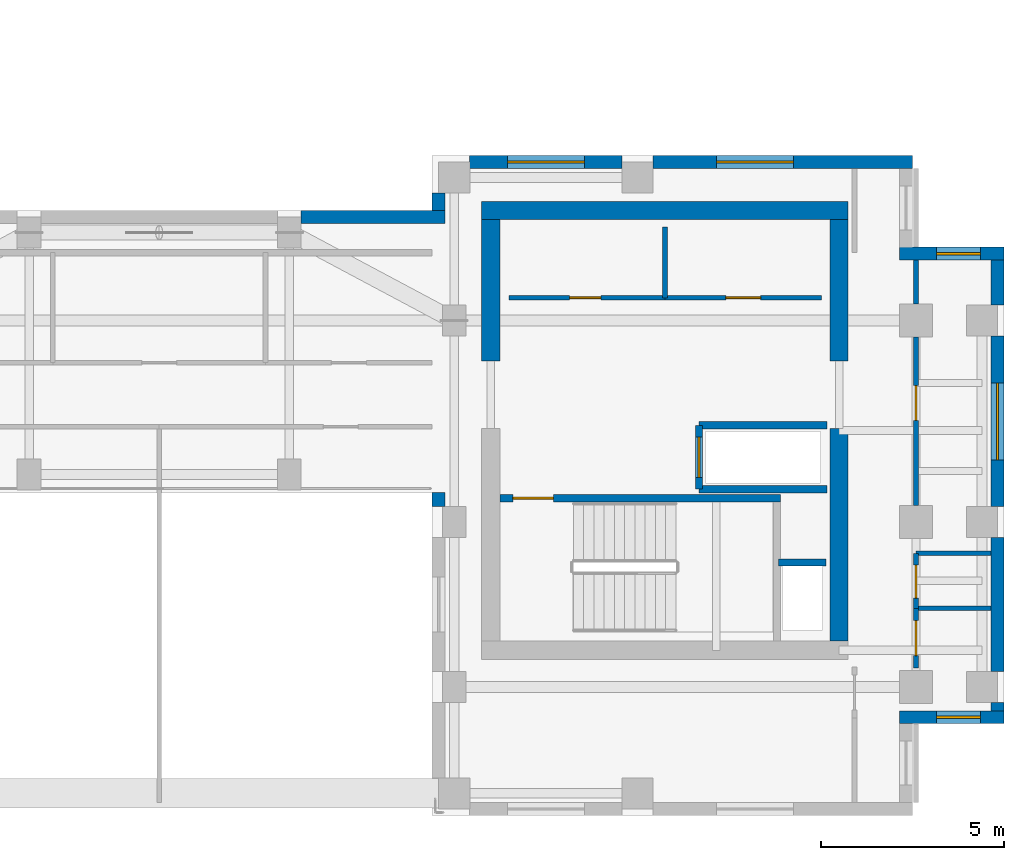
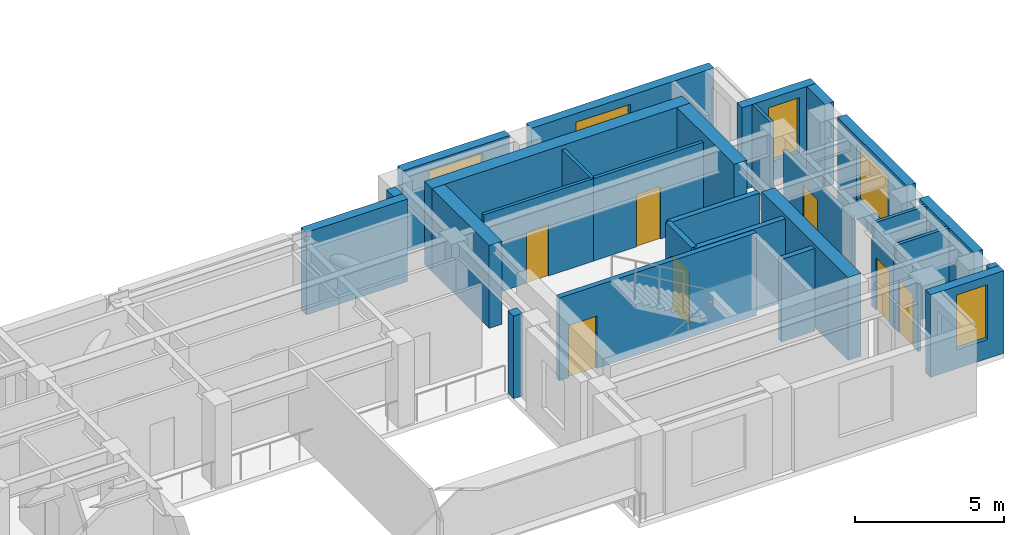
# One storey, part 9 of 12: 29 walls, 7 doors, 5 windows, 12 openings.
"""IFC4 building model written with IfcOpenShell, lengths in metres."""

import ifcopenshell
import ifcopenshell.guid

model = None  # the IFC model being written
_history = None  # IfcOwnerHistory: only IFC2X3 demands one
_inside = {}  # id of a spatial element -> (the spatial element, [elements in it])
_under = {}  # id of a project, library or spatial element -> (it, [spatial elements below it])
_declared = {}  # id of a project -> (the project, [libraries it declares])
_typed = {}  # id of a type object -> (the type object, [elements of that type])
_made_of = {}  # id of a material, layer set ... -> (it, [elements and type objects made of it])


def new_model(schema):
    """Start an empty IFC model of exactly this schema.

    Asked for "IFC4X3", IfcOpenShell would pick the latest addendum, in which some entities
    have other attributes; the version numbers below select the first issue.
    IFC2X3 requires an IfcOwnerHistory on every rooted entity: one is made here for all.
    """
    global model, _history
    if schema == "IFC4X3":
        model = ifcopenshell.file(schema_version=(4, 3, 0, 0))
    else:
        model = ifcopenshell.file(schema=schema)
    _inside.clear()
    _under.clear()
    _declared.clear()
    _typed.clear()
    _made_of.clear()
    _history = None
    if model.schema == "IFC2X3":
        org = make("IfcOrganization", Name="unknown")
        user = make(
            "IfcPersonAndOrganization",
            ThePerson=make("IfcPerson", FamilyName="unknown"),
            TheOrganization=org,
        )
        app = make(
            "IfcApplication",
            ApplicationDeveloper=org,
            Version="unknown",
            ApplicationFullName="unknown",
            ApplicationIdentifier="unknown",
        )
        _history = make(
            "IfcOwnerHistory",
            OwningUser=user,
            OwningApplication=app,
            ChangeAction="ADDED",
            CreationDate=0,
        )
    return model


def make(cls, **values):
    """One entity of the class cls with the attributes given. An attribute that is None is left unset."""
    return model.create_entity(
        cls, **{name: value for name, value in values.items() if value is not None}
    )


def rooted(cls, **values):
    """An entity with a GlobalId (a new one), such as an element, a storey or a relation."""
    return make(cls, GlobalId=ifcopenshell.guid.new(), OwnerHistory=_history, **values)


def si_unit(unit_type, name, prefix=None):
    """IfcSIUnit, for example si_unit("LENGTHUNIT", "METRE", prefix="MILLI")."""
    return make("IfcSIUnit", UnitType=unit_type, Prefix=prefix, Name=name)


def assignment(units):
    """IfcUnitAssignment: the units of a project."""
    return None if units is None else make("IfcUnitAssignment", Units=units)


def point(xyz):
    """IfcCartesianPoint."""
    return None if xyz is None else make("IfcCartesianPoint", Coordinates=xyz)


def direction(xyz):
    """IfcDirection."""
    return None if xyz is None else make("IfcDirection", DirectionRatios=xyz)


def frame(location, z_axis=None, x_axis=None):
    """IfcAxis2Placement3D, a coordinate frame: its origin and axes. An axis left out is left unset."""
    return make(
        "IfcAxis2Placement3D",
        Location=point(location),
        Axis=direction(z_axis),
        RefDirection=direction(x_axis),
    )


def frame_2d(location, x_axis=None):
    """IfcAxis2Placement2D, a coordinate frame in the plane: its origin and x axis."""
    return make(
        "IfcAxis2Placement2D", Location=point(location), RefDirection=direction(x_axis)
    )


def origin():
    """The frame at (0, 0, 0) with its axes left unset."""
    return frame((0.0, 0.0, 0.0))


def place(relative_to, where):
    """IfcLocalPlacement: puts the frame where relative to a parent placement (None: the world)."""
    return make(
        "IfcLocalPlacement", PlacementRelTo=relative_to, RelativePlacement=where
    )


def context(
    kind, dimensions, precision=None, world=None, true_north=None, identifier=None
):
    """IfcGeometricRepresentationContext, for example the 3D "Model" context."""
    return make(
        "IfcGeometricRepresentationContext",
        ContextIdentifier=identifier,
        ContextType=kind,
        CoordinateSpaceDimension=dimensions,
        Precision=precision,
        WorldCoordinateSystem=world,
        TrueNorth=true_north,
    )


def subcontext(parent, identifier, kind, view, scale=None):
    """IfcGeometricRepresentationSubContext, for example "Body" below "Model"."""
    return make(
        "IfcGeometricRepresentationSubContext",
        ContextIdentifier=identifier,
        ContextType=kind,
        ParentContext=parent,
        TargetScale=scale,
        TargetView=view,
    )


def project(units=None, contexts=None):
    """IfcProject with its units and contexts."""
    return rooted(
        "IfcProject",
        Name="project",
        RepresentationContexts=contexts,
        UnitsInContext=assignment(units),
    )


def spatial(cls, under=None, at=None, **own):
    """A site, building, storey or space (cls), placed at a placement, below another one or the project."""
    s = rooted(cls, ObjectPlacement=at, **own)
    if under is not None:
        _under.setdefault(under.id(), (under, []))[1].append(s)
    return s


def profile(cls, at=None, kind="AREA", **sizes):
    """A parametric profile (cls). Its sizes go by their IFC names, for example OverallWidth=200.0."""
    return make(cls, ProfileType=kind, Position=at, **sizes)


def rectangle(**sizes):
    """IfcRectangleProfileDef."""
    return profile("IfcRectangleProfileDef", **sizes)


def extrude(swept, where, along, depth):
    """IfcExtrudedAreaSolid: the profile swept, set in the frame where, extruded along a direction by depth."""
    return make(
        "IfcExtrudedAreaSolid",
        SweptArea=swept,
        Position=where,
        ExtrudedDirection=direction(along),
        Depth=depth,
    )


def shape(context_of_items, identifier, shape_type, items):
    """IfcShapeRepresentation: the items that make up one representation, for example the "Body"."""
    return make(
        "IfcShapeRepresentation",
        ContextOfItems=context_of_items,
        RepresentationIdentifier=identifier,
        RepresentationType=shape_type,
        Items=items,
    )


def source(mapping_origin, context_of_items, identifier, shape_type, items):
    """IfcRepresentationMap: a shape defined once, which mapped items show again and again."""
    return make(
        "IfcRepresentationMap",
        MappingOrigin=mapping_origin,
        MappedRepresentation=shape(context_of_items, identifier, shape_type, items),
    )


def transform(
    local_origin,
    x_axis=None,
    y_axis=None,
    z_axis=None,
    scale=None,
    scale2=None,
    scale3=None,
    uniform=True,
):
    """IfcCartesianTransformationOperator3D, or its non-uniform kind. x_axis, y_axis, z_axis: its Axis1, 2, 3."""
    if uniform:
        return make(
            "IfcCartesianTransformationOperator3D",
            Axis1=direction(x_axis),
            Axis2=direction(y_axis),
            LocalOrigin=point(local_origin),
            Scale=scale,
            Axis3=direction(z_axis),
        )
    return make(
        "IfcCartesianTransformationOperator3DnonUniform",
        Axis1=direction(x_axis),
        Axis2=direction(y_axis),
        LocalOrigin=point(local_origin),
        Scale=scale,
        Axis3=direction(z_axis),
        Scale2=scale2,
        Scale3=scale3,
    )


def mapped(mapping_source, mapping_target):
    """IfcMappedItem: shows the shape of a source again, moved by a transform."""
    return make(
        "IfcMappedItem", MappingSource=mapping_source, MappingTarget=mapping_target
    )


def material(Name=None, Category=None):
    """IfcMaterial."""
    return make("IfcMaterial", Name=Name, Category=Category)


def layer(
    of_material, thickness, ventilated=None, Name=None, Category=None, Priority=None
):
    """IfcMaterialLayer: one layer of a wall or slab, of a material (None: an air gap)."""
    return make(
        "IfcMaterialLayer",
        Material=of_material,
        LayerThickness=thickness,
        IsVentilated=ventilated,
        Name=Name,
        Category=Category,
        Priority=Priority,
    )


def layer_set(layers, Name=None):
    """IfcMaterialLayerSet."""
    return make("IfcMaterialLayerSet", MaterialLayers=layers, LayerSetName=Name)


def made_of(thing, what):
    """Note that an element or type object is made of a material, layer set ...; save() writes the relation."""
    if what is not None:
        _made_of.setdefault(what.id(), (what, []))[1].append(thing)
    return thing


def type_object(cls, material=None, **own):
    """A type object (cls), such as IfcWallType, which elements share."""
    return made_of(rooted(cls, **own), material)


def element(
    cls,
    number,
    at=None,
    inside=None,
    cuts=None,
    type_object=None,
    material=None,
    context=None,
    identifier="Body",
    shape_type=None,
    held_by="IfcProductDefinitionShape",
    body=None,
    shapes=None,
    **own,
):
    """One element of the class cls, such as IfcWall. Its Tag is "e" and its number.

    at: its placement. inside: the storey or other place that contains it. cuts: it is an
    opening in that element (IfcRelVoidsElement). A single representation is given by context,
    identifier, shape_type and body (its items); several are given by shapes. held_by: the class
    of the entity that holds the representations. save() writes the other relations.
    """
    e = rooted(cls, Tag="e%d" % number, ObjectPlacement=at, **own)
    if body is not None:
        shapes = [shape(context, identifier, shape_type, body)]
    if shapes is not None:
        e.Representation = make(held_by, Representations=shapes)
    if inside is not None:
        _inside.setdefault(inside.id(), (inside, []))[1].append(e)
    if cuts is not None:
        rooted(
            "IfcRelVoidsElement", RelatingBuildingElement=cuts, RelatedOpeningElement=e
        )
    if type_object is not None:
        _typed.setdefault(type_object.id(), (type_object, []))[1].append(e)
    return made_of(e, material)


def fill(opening, filler):
    """IfcRelFillsElement: the door or window that sits in an opening."""
    return rooted(
        "IfcRelFillsElement",
        RelatingOpeningElement=opening,
        RelatedBuildingElement=filler,
    )


def aggregate(whole, parts):
    """IfcRelAggregates: a whole, such as a stair, and the parts it consists of."""
    return rooted("IfcRelAggregates", RelatingObject=whole, RelatedObjects=parts)


def save(model, path):
    """Write the relations noted so far, then the file.

    IfcRelAggregates (storeys below a building ...), IfcRelContainedInSpatialStructure (elements
    in a storey), IfcRelDefinesByType, IfcRelAssociatesMaterial and IfcRelDeclares: one each for
    every whole, place, type object, material and project.
    """
    for whole, parts in _under.values():
        aggregate(whole, parts)
    for where, things in _inside.values():
        rooted(
            "IfcRelContainedInSpatialStructure",
            RelatedElements=things,
            RelatingStructure=where,
        )
    for kind, things in _typed.values():
        rooted("IfcRelDefinesByType", RelatedObjects=things, RelatingType=kind)
    for what, things in _made_of.values():
        rooted("IfcRelAssociatesMaterial", RelatedObjects=things, RelatingMaterial=what)
    for by, libraries in _declared.values():
        rooted("IfcRelDeclares", RelatingContext=by, RelatedDefinitions=libraries)
    model.write(path)


model = new_model("IFC4")

# Units and contexts
model_context = context("Model", 3, precision=1e-05, world=origin(), true_north=direction((0.0, 1.0)))
body_context = subcontext(model_context, "Body", "Model", "MODEL_VIEW")
ifc_project = project(units=[si_unit("LENGTHUNIT", "METRE"), si_unit("AREAUNIT", "SQUARE_METRE"), si_unit("VOLUMEUNIT", "CUBIC_METRE"), si_unit("PLANEANGLEUNIT", "RADIAN"), si_unit("MASSUNIT", "GRAM", prefix="KILO")], contexts=[model_context])

# Site, building, storey
site_placement = place(None, origin())
site = spatial("IfcSite", under=ifc_project, at=site_placement, CompositionType="ELEMENT")
building_placement = place(site_placement, origin())
building = spatial("IfcBuilding", under=site, at=building_placement, Name="Kharzan Plaza Tower", CompositionType="ELEMENT")
storey_placement = place(building_placement, frame((0.0, 0.0, 248.39990234375)))
storey = spatial("IfcBuildingStorey", under=building, at=storey_placement, Name="L67", CompositionType="ELEMENT", Elevation=248.39990234375)

# Wall, opening, window
ifc_material_1 = material(Name="Concrete C40/50", Category="concrete")
ifc_layer_1 = layer(ifc_material_1, 0.35009765625)
ifc_layer_set_1 = layer_set([ifc_layer_1], Name="Concrete C40/50")
wall_type_1 = type_object("IfcWallType", Name="WL-EXT-MAS-Z4", PredefinedType="SOLIDWALL", material=ifc_layer_set_1)
wall_1_placement = place(storey_placement, frame((47.14990234375, 2.675048828125, 0.0), z_axis=(0.0, 0.0, 1.0), x_axis=(1.0, 0.0, 0.0)))
wall_1 = element("IfcWall", 1, at=wall_1_placement, inside=storey, type_object=wall_type_1, Name="L67 Masonry-Frame Exterior Wall 39", PredefinedType="SOLIDWALL", context=body_context, shape_type="SweptSolid", body=[
    extrude(rectangle(XDim=2.85009765625, YDim=0.35009765625, at=frame_2d((1.425048828125, 0.0))), origin(), (0.0, 0.0, 1.0), 3.385009765625),
])
opening_1_placement = place(wall_1_placement, frame((1.014892578125, 0.0, 0.780029296875)))
opening_1 = element("IfcOpeningElement", 2, at=opening_1_placement, cuts=wall_1, Name="Opening W3", PredefinedType="OPENING", context=body_context, shape_type="SweptSolid", body=[
    extrude(rectangle(XDim=1.199951171875, YDim=2.25, at=frame_2d((0.60009765625, 1.125))), frame((0.0, 0.18505859375, 0.0), z_axis=(0.0, -1.0, 0.0), x_axis=(1.0, 0.0, 0.0)), (0.0, 0.0, 1.0), 0.3701171875),
])
ifc_material_2 = material(Name="Low-E Double Glazing", Category="glass")
window_type_1 = type_object("IfcWindowType", Name="WN-REC-1200x2100", PartitioningType="SINGLE_PANEL", PredefinedType="WINDOW", material=ifc_material_2)
shared_shape_1 = source(origin(), body_context, "Body", "SweptSolid", [
    extrude(rectangle(XDim=1.199951171875, YDim=2.25, at=frame_2d((0.60009765625, 1.125))), frame((0.0, 0.030029296875, 0.0), z_axis=(0.0, -1.0, 0.0), x_axis=(1.0, 0.0, 0.0)), (0.0, 0.0, 1.0), 0.06005859375),
])
window_1_placement = place(opening_1_placement, origin())
window_1 = element("IfcWindow", 3, at=window_1_placement, inside=storey, type_object=window_type_1, Name="L67 Recessed Solar-Control Window 39-1", OverallHeight=2.25, OverallWidth=1.199951171875, PartitioningType="SINGLE_PANEL", PredefinedType="WINDOW", context=body_context, shape_type="MappedRepresentation", body=[
    mapped(shared_shape_1, transform((0.0, 0.0, 0.0), x_axis=(1.0, 0.0, 0.0), y_axis=(0.0, 1.0, 0.0), z_axis=(0.0, 0.0, 1.0))),
])
fill(opening_1, window_1)

wall_2_placement = place(storey_placement, frame((49.824951171875, 8.423095703125, 0.0), z_axis=(0.0, 0.0, 1.0), x_axis=(0.0, 1.0, 0.0)))
wall_2 = element("IfcWall", 4, at=wall_2_placement, inside=storey, type_object=wall_type_1, Name="L67 Masonry-Frame Exterior Wall 42", PredefinedType="SOLIDWALL", context=body_context, shape_type="SweptSolid", body=[
    extrude(rectangle(XDim=4.65380859375, YDim=0.35009765625, at=frame_2d((2.326904296875, 0.0))), origin(), (0.0, 0.0, 1.0), 3.385009765625),
])
opening_2_placement = place(wall_2_placement, frame((1.277099609375, 0.0, 0.780029296875)))
opening_2 = element("IfcOpeningElement", 5, at=opening_2_placement, cuts=wall_2, Name="Opening W6", PredefinedType="OPENING", context=body_context, shape_type="SweptSolid", body=[
    extrude(rectangle(XDim=2.10009765625, YDim=2.25, at=frame_2d((1.050048828125, 1.125))), frame((0.0, 0.18505859375, 0.0), z_axis=(0.0, -1.0, 0.0), x_axis=(1.0, 0.0, 0.0)), (0.0, 0.0, 1.0), 0.3701171875),
])
window_type_2 = type_object("IfcWindowType", Name="WN-EXEC-2100x2250", PartitioningType="SINGLE_PANEL", PredefinedType="WINDOW", material=ifc_material_2)
shared_shape_2 = source(origin(), body_context, "Body", "SweptSolid", [
    extrude(rectangle(XDim=2.10009765625, YDim=2.25, at=frame_2d((1.050048828125, 1.125))), frame((0.0, 0.030029296875, 0.0), z_axis=(0.0, -1.0, 0.0), x_axis=(1.0, 0.0, 0.0)), (0.0, 0.0, 1.0), 0.06005859375),
])
window_2_placement = place(opening_2_placement, origin())
window_2 = element("IfcWindow", 6, at=window_2_placement, inside=storey, type_object=window_type_2, Name="L67 Recessed Solar-Control Window 42-1", OverallHeight=2.25, OverallWidth=2.10009765625, PartitioningType="SINGLE_PANEL", PredefinedType="WINDOW", context=body_context, shape_type="MappedRepresentation", body=[
    mapped(shared_shape_2, transform((0.0, 0.0, 0.0), x_axis=(1.0, 0.0, 0.0), y_axis=(0.0, 1.0, 0.0), z_axis=(0.0, 0.0, 1.0))),
])
fill(opening_2, window_2)

wall_3_placement = place(storey_placement, frame((50.0, 15.324951171875, 0.0), z_axis=(0.0, 0.0, 1.0), x_axis=(-1.0, 0.0, 0.0)))
wall_3 = element("IfcWall", 7, at=wall_3_placement, inside=storey, type_object=wall_type_1, Name="L67 Masonry-Frame Exterior Wall 44", PredefinedType="SOLIDWALL", context=body_context, shape_type="SweptSolid", body=[
    extrude(rectangle(XDim=2.85009765625, YDim=0.35009765625, at=frame_2d((1.425048828125, 0.0))), origin(), (0.0, 0.0, 1.0), 3.385009765625),
])
opening_3_placement = place(wall_3_placement, frame((0.635009765625, 0.0, 0.780029296875)))
opening_3 = element("IfcOpeningElement", 8, at=opening_3_placement, cuts=wall_3, Name="Opening W3", PredefinedType="OPENING", context=body_context, shape_type="SweptSolid", body=[
    extrude(rectangle(XDim=1.199951171875, YDim=2.25, at=frame_2d((0.60009765625, 1.125))), frame((0.0, 0.18505859375, 0.0), z_axis=(0.0, -1.0, 0.0), x_axis=(1.0, 0.0, 0.0)), (0.0, 0.0, 1.0), 0.3701171875),
])
window_3_placement = place(opening_3_placement, origin())
window_3 = element("IfcWindow", 9, at=window_3_placement, inside=storey, type_object=window_type_1, Name="L67 Recessed Solar-Control Window 44-1", OverallHeight=2.25, OverallWidth=1.199951171875, PartitioningType="SINGLE_PANEL", PredefinedType="WINDOW", context=body_context, shape_type="MappedRepresentation", body=[
    mapped(shared_shape_1, transform((0.0, 0.0, 0.0), x_axis=(1.0, 0.0, 0.0), y_axis=(0.0, 1.0, 0.0), z_axis=(0.0, 0.0, 1.0))),
])
fill(opening_3, window_3)

wall_4_placement = place(storey_placement, frame((47.5, 17.824951171875, 0.0), z_axis=(0.0, 0.0, 1.0), x_axis=(-1.0, 0.0, 0.0)))
wall_4 = element("IfcWall", 10, at=wall_4_placement, inside=storey, type_object=wall_type_1, Name="L67 Masonry-Frame Exterior Wall 46", PredefinedType="SOLIDWALL", context=body_context, shape_type="SweptSolid", body=[
    extrude(rectangle(XDim=7.076904296875, YDim=0.35009765625, at=frame_2d((3.53857421875, 0.0))), origin(), (0.0, 0.0, 1.0), 3.385009765625),
])
opening_4_placement = place(wall_4_placement, frame((3.243408203125, 0.0, 0.780029296875)))
opening_4 = element("IfcOpeningElement", 11, at=opening_4_placement, cuts=wall_4, Name="Opening W6", PredefinedType="OPENING", context=body_context, shape_type="SweptSolid", body=[
    extrude(rectangle(XDim=2.10009765625, YDim=2.25, at=frame_2d((1.050048828125, 1.125))), frame((0.0, 0.18505859375, 0.0), z_axis=(0.0, -1.0, 0.0), x_axis=(1.0, 0.0, 0.0)), (0.0, 0.0, 1.0), 0.3701171875),
])
window_4_placement = place(opening_4_placement, origin())
window_4 = element("IfcWindow", 12, at=window_4_placement, inside=storey, type_object=window_type_2, Name="L67 Recessed Solar-Control Window 46-1", OverallHeight=2.25, OverallWidth=2.10009765625, PartitioningType="SINGLE_PANEL", PredefinedType="WINDOW", context=body_context, shape_type="MappedRepresentation", body=[
    mapped(shared_shape_2, transform((0.0, 0.0, 0.0), x_axis=(1.0, 0.0, 0.0), y_axis=(0.0, 1.0, 0.0), z_axis=(0.0, 0.0, 1.0))),
])
fill(opening_4, window_4)

wall_5_placement = place(storey_placement, frame((39.576904296875, 17.824951171875, 0.0), z_axis=(0.0, 0.0, 1.0), x_axis=(-1.0, 0.0, 0.0)))
wall_5 = element("IfcWall", 13, at=wall_5_placement, inside=storey, type_object=wall_type_1, Name="L67 Masonry-Frame Exterior Wall 47", PredefinedType="SOLIDWALL", context=body_context, shape_type="SweptSolid", body=[
    extrude(rectangle(XDim=4.15380859375, YDim=0.35009765625, at=frame_2d((2.076904296875, 0.0))), origin(), (0.0, 0.0, 1.0), 3.385009765625),
])
opening_5_placement = place(wall_5_placement, frame((1.027099609375, 0.0, 0.780029296875)))
opening_5 = element("IfcOpeningElement", 14, at=opening_5_placement, cuts=wall_5, Name="Opening W6", PredefinedType="OPENING", context=body_context, shape_type="SweptSolid", body=[
    extrude(rectangle(XDim=2.10009765625, YDim=2.25, at=frame_2d((1.050048828125, 1.125))), frame((0.0, 0.18505859375, 0.0), z_axis=(0.0, -1.0, 0.0), x_axis=(1.0, 0.0, 0.0)), (0.0, 0.0, 1.0), 0.3701171875),
])
window_5_placement = place(opening_5_placement, origin())
window_5 = element("IfcWindow", 15, at=window_5_placement, inside=storey, type_object=window_type_2, Name="L67 Recessed Solar-Control Window 47-1", OverallHeight=2.25, OverallWidth=2.10009765625, PartitioningType="SINGLE_PANEL", PredefinedType="WINDOW", context=body_context, shape_type="MappedRepresentation", body=[
    mapped(shared_shape_2, transform((0.0, 0.0, 0.0), x_axis=(1.0, 0.0, 0.0), y_axis=(0.0, 1.0, 0.0), z_axis=(0.0, 0.0, 1.0))),
])
fill(opening_5, window_5)

# Wall, opening, door
ifc_material_3 = material(Name="Fire-Rated Gypsum Board Partition", Category="gypsum")
ifc_layer_2 = layer(ifc_material_3, 0.125)
ifc_layer_set_2 = layer_set([ifc_layer_2], Name="Fire-Rated Gypsum Board Partition")
wall_type_2 = type_object("IfcWallType", Name="WL-INT-PART-125", PredefinedType="PARTITIONING", material=ifc_layer_set_2)
wall_6_placement = place(storey_placement, frame((36.5, 14.1201171875, 0.0), z_axis=(0.0, 0.0, 1.0), x_axis=(1.0, 0.0, 0.0)))
wall_6 = element("IfcWall", 16, at=wall_6_placement, inside=storey, type_object=wall_type_2, Name="L67 Interior Partition CB-RBLS1", PredefinedType="PARTITIONING", context=body_context, shape_type="SweptSolid", body=[
    extrude(rectangle(XDim=4.25, YDim=0.125, at=frame_2d((2.125, 0.0))), origin(), (0.0, 0.0, 1.0), 3.385009765625),
])
opening_6_placement = place(wall_6_placement, frame((1.64990234375, 0.0, 0.0)))
opening_6 = element("IfcOpeningElement", 17, at=opening_6_placement, cuts=wall_6, Name="Opening RD1", PredefinedType="OPENING", context=body_context, shape_type="SweptSolid", body=[
    extrude(rectangle(XDim=0.85009765625, YDim=2.10009765625, at=frame_2d((0.425048828125, 1.050048828125))), frame((0.0, 0.072509765625, 0.0), z_axis=(0.0, -1.0, 0.0), x_axis=(1.0, 0.0, 0.0)), (0.0, 0.0, 1.0), 0.14501953125),
])
ifc_material_4 = material(Name="Powder-Coated Fire-Rated Steel", Category="steel")
door_type_1 = type_object("IfcDoorType", Name="DR-RISER-900", OperationType="NOTDEFINED", PredefinedType="DOOR", material=ifc_material_4)
shared_shape_3 = source(origin(), body_context, "Body", "SweptSolid", [
    extrude(rectangle(XDim=0.85009765625, YDim=2.10009765625, at=frame_2d((0.425048828125, 1.050048828125))), frame((0.0, 0.02490234375, 0.0), z_axis=(0.0, -1.0, 0.0), x_axis=(1.0, 0.0, 0.0)), (0.0, 0.0, 1.0), 0.050048828125),
])
door_1_placement = place(opening_6_placement, origin())
door_1 = element("IfcDoor", 18, at=door_1_placement, inside=storey, type_object=door_type_1, Name="L67 Archive Room Door", OperationType="SINGLE_SWING_RIGHT", OverallHeight=2.10009765625, OverallWidth=0.85009765625, PredefinedType="DOOR", context=body_context, shape_type="MappedRepresentation", body=[
    mapped(shared_shape_3, transform((0.0, 0.0, 0.0), x_axis=(1.0, 0.0, 0.0), y_axis=(0.0, 1.0, 0.0), z_axis=(0.0, 0.0, 1.0))),
])
fill(opening_6, door_1)

wall_7_placement = place(storey_placement, frame((40.75, 14.1201171875, 0.0), z_axis=(0.0, 0.0, 1.0), x_axis=(1.0, 0.0, 0.0)))
wall_7 = element("IfcWall", 19, at=wall_7_placement, inside=storey, type_object=wall_type_2, Name="L67 Interior Partition CB-RBLS2", PredefinedType="PARTITIONING", context=body_context, shape_type="SweptSolid", body=[
    extrude(rectangle(XDim=4.27001953125, YDim=0.125, at=frame_2d((2.135009765625, 0.0))), origin(), (0.0, 0.0, 1.0), 3.385009765625),
])
opening_7_placement = place(wall_7_placement, frame((1.659912109375, 0.0, 0.0)))
opening_7 = element("IfcOpeningElement", 20, at=opening_7_placement, cuts=wall_7, Name="Opening OD1", PredefinedType="OPENING", context=body_context, shape_type="SweptSolid", body=[
    extrude(rectangle(XDim=0.949951171875, YDim=2.14990234375, at=frame_2d((0.47509765625, 1.074951171875))), frame((0.0, 0.072509765625, 0.0), z_axis=(0.0, -1.0, 0.0), x_axis=(1.0, 0.0, 0.0)), (0.0, 0.0, 1.0), 0.14501953125),
])
ifc_material_5 = material(Name="Acoustic Solid-Core Stained Oak", Category="timber")
door_type_2 = type_object("IfcDoorType", Name="DR-OFF-SINGLE", OperationType="NOTDEFINED", PredefinedType="DOOR", material=ifc_material_5)
shared_shape_4 = source(origin(), body_context, "Body", "SweptSolid", [
    extrude(rectangle(XDim=0.949951171875, YDim=2.14990234375, at=frame_2d((0.47509765625, 1.074951171875))), frame((0.0, 0.02490234375, 0.0), z_axis=(0.0, -1.0, 0.0), x_axis=(1.0, 0.0, 0.0)), (0.0, 0.0, 1.0), 0.050048828125),
])
door_2_placement = place(opening_7_placement, origin())
door_2 = element("IfcDoor", 21, at=door_2_placement, inside=storey, type_object=door_type_2, Name="L67 Print Room Door", OperationType="SINGLE_SWING_LEFT", OverallHeight=2.14990234375, OverallWidth=0.949951171875, PredefinedType="DOOR", context=body_context, shape_type="MappedRepresentation", body=[
    mapped(shared_shape_4, transform((0.0, 0.0, 0.0), x_axis=(1.0, 0.0, 0.0), y_axis=(0.0, 1.0, 0.0), z_axis=(0.0, 0.0, 1.0))),
])
fill(opening_7, door_2)

wall_8_placement = place(storey_placement, frame((47.60009765625, 4.02001953125, 0.0), z_axis=(0.0, 0.0, 1.0), x_axis=(0.0, 1.0, 0.0)))
wall_8 = element("IfcWall", 22, at=wall_8_placement, inside=storey, type_object=wall_type_2, Name="L67 Interior Partition SH-B0W0", PredefinedType="PARTITIONING", context=body_context, shape_type="SweptSolid", body=[
    extrude(rectangle(XDim=1.6298828125, YDim=0.125, at=frame_2d((0.81494140625, 0.0))), origin(), (0.0, 0.0, 1.0), 2.773193359375),
])
opening_8_placement = place(wall_8_placement, frame((0.340087890625, 0.0, 0.0)))
opening_8 = element("IfcOpeningElement", 23, at=opening_8_placement, cuts=wall_8, Name="Opening OD1", PredefinedType="OPENING", context=body_context, shape_type="SweptSolid", body=[
    extrude(rectangle(XDim=0.949951171875, YDim=2.14990234375, at=frame_2d((0.47509765625, 1.074951171875))), frame((0.0, 0.072509765625, 0.0), z_axis=(0.0, -1.0, 0.0), x_axis=(1.0, 0.0, 0.0)), (0.0, 0.0, 1.0), 0.14501953125),
])
door_3_placement = place(opening_8_placement, origin())
door_3 = element("IfcDoor", 24, at=door_3_placement, inside=storey, type_object=door_type_2, Name="L67 Wing B South Office Door", OperationType="SINGLE_SWING_RIGHT", OverallHeight=2.14990234375, OverallWidth=0.949951171875, PredefinedType="DOOR", context=body_context, shape_type="MappedRepresentation", body=[
    mapped(shared_shape_4, transform((0.0, 0.0, 0.0), x_axis=(1.0, 0.0, 0.0), y_axis=(0.0, 1.0, 0.0), z_axis=(0.0, 0.0, 1.0))),
])
fill(opening_8, door_3)

wall_9_placement = place(storey_placement, frame((47.60009765625, 8.449951171875, 0.0), z_axis=(0.0, 0.0, 1.0), x_axis=(0.0, 1.0, 0.0)))
wall_9 = element("IfcWall", 25, at=wall_9_placement, inside=storey, type_object=wall_type_2, Name="L67 Interior Partition SH-B0W1-S1", PredefinedType="PARTITIONING", context=body_context, shape_type="SweptSolid", body=[
    extrude(rectangle(XDim=4.60009765625, YDim=0.125, at=frame_2d((2.300048828125, 0.0))), origin(), (0.0, 0.0, 1.0), 2.773193359375),
])
opening_9_placement = place(wall_9_placement, frame((2.324951171875, 0.0, 0.0)))
opening_9 = element("IfcOpeningElement", 26, at=opening_9_placement, cuts=wall_9, Name="Opening OD1", PredefinedType="OPENING", context=body_context, shape_type="SweptSolid", body=[
    extrude(rectangle(XDim=0.949951171875, YDim=2.14990234375, at=frame_2d((0.47509765625, 1.074951171875))), frame((0.0, 0.072509765625, 0.0), z_axis=(0.0, -1.0, 0.0), x_axis=(1.0, 0.0, 0.0)), (0.0, 0.0, 1.0), 0.14501953125),
])
door_4_placement = place(opening_9_placement, origin())
door_4 = element("IfcDoor", 27, at=door_4_placement, inside=storey, type_object=door_type_2, Name="L67 Open Engineering Workspace Door", OperationType="SINGLE_SWING_LEFT", OverallHeight=2.14990234375, OverallWidth=0.949951171875, PredefinedType="DOOR", context=body_context, shape_type="MappedRepresentation", body=[
    mapped(shared_shape_4, transform((0.0, 0.0, 0.0), x_axis=(1.0, 0.0, 0.0), y_axis=(0.0, 1.0, 0.0), z_axis=(0.0, 0.0, 1.0))),
])
fill(opening_9, door_4)

wall_10_placement = place(storey_placement, frame((47.60009765625, 5.64990234375, 0.0), z_axis=(0.0, 0.0, 1.0), x_axis=(0.0, 1.0, 0.0)))
wall_10 = element("IfcWall", 28, at=wall_10_placement, inside=storey, type_object=wall_type_2, Name="L67 Interior Partition SH-B0WC", PredefinedType="PARTITIONING", context=body_context, shape_type="SweptSolid", body=[
    extrude(rectangle(XDim=1.5, YDim=0.125, at=frame_2d((0.75, 0.0))), origin(), (0.0, 0.0, 1.0), 2.773193359375),
])
opening_10_placement = place(wall_10_placement, frame((0.27490234375, 0.0, 0.0)))
opening_10 = element("IfcOpeningElement", 29, at=opening_10_placement, cuts=wall_10, Name="Opening WD1", PredefinedType="OPENING", context=body_context, shape_type="SweptSolid", body=[
    extrude(rectangle(XDim=0.89990234375, YDim=2.14990234375, at=frame_2d((0.449951171875, 1.074951171875))), frame((0.0, 0.072509765625, 0.0), z_axis=(0.0, -1.0, 0.0), x_axis=(1.0, 0.0, 0.0)), (0.0, 0.0, 1.0), 0.14501953125),
])
ifc_material_6 = material(Name="Moisture-Resistant Fire-Rated Laminate", Category="timber")
door_type_3 = type_object("IfcDoorType", Name="DR-WC-900", OperationType="NOTDEFINED", PredefinedType="DOOR", material=ifc_material_6)
shared_shape_5 = source(origin(), body_context, "Body", "SweptSolid", [
    extrude(rectangle(XDim=0.89990234375, YDim=2.14990234375, at=frame_2d((0.449951171875, 1.074951171875))), frame((0.0, 0.02490234375, 0.0), z_axis=(0.0, -1.0, 0.0), x_axis=(1.0, 0.0, 0.0)), (0.0, 0.0, 1.0), 0.050048828125),
])
door_5_placement = place(opening_10_placement, origin())
door_5 = element("IfcDoor", 30, at=door_5_placement, inside=storey, type_object=door_type_3, Name="L67 Wing B Washroom Door", OperationType="SINGLE_SWING_LEFT", OverallHeight=2.14990234375, OverallWidth=0.89990234375, PredefinedType="DOOR", context=body_context, shape_type="MappedRepresentation", body=[
    mapped(shared_shape_5, transform((0.0, 0.0, 0.0), x_axis=(1.0, 0.0, 0.0), y_axis=(0.0, 1.0, 0.0), z_axis=(0.0, 0.0, 1.0))),
])
fill(opening_10, door_5)

ifc_layer_3 = layer(ifc_material_1, 0.199951171875)
ifc_layer_set_3 = layer_set([ifc_layer_3], Name="Concrete C40/50")
wall_type_3 = type_object("IfcWallType", Name="WL-INT-SHAFT-200", PredefinedType="PARTITIONING", material=ifc_layer_set_3)
wall_11_placement = place(storey_placement, frame((41.679931640625, 8.89990234375, 0.0), z_axis=(0.0, 0.0, 1.0), x_axis=(0.0, 1.0, 0.0)))
wall_11 = element("IfcWall", 31, at=wall_11_placement, inside=storey, type_object=wall_type_3, Name="L67 Interior Partition SHF-SVL-2-W", PredefinedType="PARTITIONING", context=body_context, shape_type="SweptSolid", body=[
    extrude(rectangle(XDim=1.739990234375, YDim=0.199951171875, at=frame_2d((0.8701171875, 0.0))), origin(), (0.0, 0.0, 1.0), 3.385009765625),
])
opening_11_placement = place(wall_11_placement, frame((0.320068359375, 0.0, 0.0)))
opening_11 = element("IfcOpeningElement", 32, at=opening_11_placement, cuts=wall_11, Name="Opening LD", PredefinedType="OPENING", context=body_context, shape_type="SweptSolid", body=[
    extrude(rectangle(XDim=1.10009765625, YDim=2.199951171875, at=frame_2d((0.550048828125, 1.10009765625))), frame((0.0, 0.10986328125, 0.0), z_axis=(0.0, -1.0, 0.0), x_axis=(1.0, 0.0, 0.0)), (0.0, 0.0, 1.0), 0.219970703125),
])
ifc_material_7 = material(Name="Brushed Stainless Steel", Category="steel")
door_type_4 = type_object("IfcDoorType", Name="DR-LIFT-SLIDE", OperationType="SLIDING_TO_LEFT", PredefinedType="DOOR", material=ifc_material_7)
shared_shape_6 = source(origin(), body_context, "Body", "SweptSolid", [
    extrude(rectangle(XDim=1.10009765625, YDim=2.199951171875, at=frame_2d((0.550048828125, 1.10009765625))), frame((0.0, 0.02490234375, 0.0), z_axis=(0.0, -1.0, 0.0), x_axis=(1.0, 0.0, 0.0)), (0.0, 0.0, 1.0), 0.050048828125),
])
door_6_placement = place(opening_11_placement, origin())
door_6 = element("IfcDoor", 33, at=door_6_placement, inside=storey, type_object=door_type_4, Name="L67 Service Lift SVL-2 Sliding Landing Door", OperationType="SLIDING_TO_LEFT", OverallHeight=2.199951171875, OverallWidth=1.10009765625, PredefinedType="DOOR", context=body_context, shape_type="MappedRepresentation", body=[
    mapped(shared_shape_6, transform((0.0, 0.0, 0.0), x_axis=(1.0, 0.0, 0.0), y_axis=(0.0, 1.0, 0.0), z_axis=(0.0, 0.0, 1.0))),
])
fill(opening_11, door_6)

ifc_material_8 = material(Name="Concrete C50/60", Category="concrete")
ifc_layer_4 = layer(ifc_material_8, 0.199951171875)
ifc_layer_set_4 = layer_set([ifc_layer_4], Name="Concrete C50/60")
wall_type_4 = type_object("IfcWallType", Name="WL-SHAFT-RC200", PredefinedType="SHEAR", material=ifc_layer_set_4)
wall_12_placement = place(storey_placement, frame((36.251953125, 8.655029296875, 0.0), z_axis=(0.0, 0.0, 1.0), x_axis=(1.0, 0.0, 0.0)))
wall_12 = element("IfcWall", 34, at=wall_12_placement, inside=storey, type_object=wall_type_4, Name="L67 Stair ST-3 North RC Shaft Wall", PredefinedType="SHEAR", context=body_context, shape_type="SweptSolid", body=[
    extrude(rectangle(XDim=7.653076171875, YDim=0.199951171875, at=frame_2d((3.82666015625, 0.0))), origin(), (0.0, 0.0, 1.0), 3.400146484375),
])
opening_12_placement = place(wall_12_placement, frame((0.35009765625, 0.0, 0.0)))
opening_12 = element("IfcOpeningElement", 35, at=opening_12_placement, cuts=wall_12, Name="Opening SD1", PredefinedType="OPENING", context=body_context, shape_type="SweptSolid", body=[
    extrude(rectangle(XDim=1.10009765625, YDim=2.14990234375, at=frame_2d((0.550048828125, 1.074951171875))), frame((0.0, 0.10986328125, 0.0), z_axis=(0.0, -1.0, 0.0), x_axis=(1.0, 0.0, 0.0)), (0.0, 0.0, 1.0), 0.219970703125),
])
ifc_material_9 = material(Name="Fire-Rated Hollow Galvanized Steel", Category="steel")
door_type_5 = type_object("IfcDoorType", Name="DR-STAIR-FD120", OperationType="NOTDEFINED", PredefinedType="DOOR", material=ifc_material_9)
shared_shape_7 = source(origin(), body_context, "Body", "SweptSolid", [
    extrude(rectangle(XDim=1.10009765625, YDim=2.14990234375, at=frame_2d((0.550048828125, 1.074951171875))), frame((0.0, 0.02490234375, 0.0), z_axis=(0.0, -1.0, 0.0), x_axis=(1.0, 0.0, 0.0)), (0.0, 0.0, 1.0), 0.050048828125),
])
door_7_placement = place(opening_12_placement, origin())
door_7 = element("IfcDoor", 36, at=door_7_placement, inside=storey, type_object=door_type_5, Name="L67 Stair ST-3 Fire Exit Door", OperationType="SINGLE_SWING_LEFT", OverallHeight=2.14990234375, OverallWidth=1.10009765625, PredefinedType="DOOR", context=body_context, shape_type="MappedRepresentation", body=[
    mapped(shared_shape_7, transform((0.0, 0.0, 0.0), x_axis=(1.0, 0.0, 0.0), y_axis=(0.0, 1.0, 0.0), z_axis=(0.0, 0.0, 1.0))),
])
fill(opening_12, door_7)

# Walls
shared_shape_8 = source(origin(), body_context, "Body", "SweptSolid", [
    extrude(rectangle(XDim=1.929931640625, YDim=0.125, at=frame_2d((0.96484375, 0.0))), origin(), (0.0, 0.0, 1.0), 3.385009765625),
])
wall_13_placement = place(storey_placement, frame((40.75, 14.1201171875, 0.0), z_axis=(0.0, 0.0, 1.0), x_axis=(0.0, 1.0, 0.0)))
element("IfcWall", 37, at=wall_13_placement, inside=storey, type_object=wall_type_2, Name="L67 Interior Partition CB-RBLM1", PredefinedType="PARTITIONING", context=body_context, shape_type="MappedRepresentation", body=[
    mapped(shared_shape_8, transform((0.0, 0.0, 0.0), x_axis=(1.0, 0.0, 0.0), y_axis=(0.0, 1.0, 0.0), z_axis=(0.0, 0.0, 1.0))),
])
shared_shape_9 = source(origin(), body_context, "Body", "SweptSolid", [
    extrude(rectangle(XDim=1.2998046875, YDim=0.199951171875, at=frame_2d((0.64990234375, 0.0))), origin(), (0.0, 0.0, 1.0), 3.385009765625),
])
wall_14_placement = place(storey_placement, frame((43.85009765625, 6.89990234375, 0.0), z_axis=(0.0, 0.0, 1.0), x_axis=(1.0, 0.0, 0.0)))
element("IfcWall", 38, at=wall_14_placement, inside=storey, type_object=wall_type_3, Name="L67 Interior Partition CB-RSRB-N", PredefinedType="PARTITIONING", context=body_context, shape_type="MappedRepresentation", body=[
    mapped(shared_shape_9, transform((0.0, 0.0, 0.0), x_axis=(1.0, 0.0, 0.0), y_axis=(0.0, 1.0, 0.0), z_axis=(0.0, 0.0, 1.0))),
])
shared_shape_10 = source(origin(), body_context, "Body", "SweptSolid", [
    extrude(rectangle(XDim=3.489990234375, YDim=0.199951171875, at=frame_2d((1.7451171875, 0.0))), origin(), (0.0, 0.0, 1.0), 3.385009765625),
])
for number, where, z_axis, x_axis, name in (
    (39, (41.679931640625, 10.639892578125, 0.0), (0.0, 0.0, 1.0), (1.0, 0.0, 0.0), "L67 Interior Partition SHF-SVL-2-N"),
    (40, (41.679931640625, 8.89990234375, 0.0), (0.0, 0.0, 1.0), (1.0, 0.0, 0.0), "L67 Interior Partition SHF-SVL-2-S"),
):
    element("IfcWall", number, at=place(storey_placement, frame(where, z_axis=z_axis, x_axis=x_axis)), inside=storey, type_object=wall_type_3, Name=name, PredefinedType="PARTITIONING", context=body_context, shape_type="MappedRepresentation", body=[
        mapped(shared_shape_10, transform((0.0, 0.0, 0.0), x_axis=(1.0, 0.0, 0.0), y_axis=(0.0, 1.0, 0.0), z_axis=(0.0, 0.0, 1.0))),
    ])
ifc_layer_5 = layer(ifc_material_8, 0.5)
ifc_layer_set_5 = layer_set([ifc_layer_5], Name="Concrete C50/60")
wall_type_5 = type_object("IfcWallType", Name="WL-CORE-500", PredefinedType="SHEAR", material=ifc_layer_set_5)
shared_shape_11 = source(origin(), body_context, "Body", "SweptSolid", [
    extrude(rectangle(XDim=5.800048828125, YDim=0.5, at=frame_2d((2.89990234375, 0.0))), origin(), (0.0, 0.0, 1.0), 3.400146484375),
])
wall_15_placement = place(storey_placement, frame((45.5, 4.75, 0.0), z_axis=(0.0, 0.0, 1.0), x_axis=(0.0, 1.0, 0.0)))
element("IfcWall", 41, at=wall_15_placement, inside=storey, type_object=wall_type_5, Name="L67 CORE-B east shear pier 1", PredefinedType="SHEAR", context=body_context, shape_type="MappedRepresentation", body=[
    mapped(shared_shape_11, transform((0.0, 0.0, 0.0), x_axis=(1.0, 0.0, 0.0), y_axis=(0.0, 1.0, 0.0), z_axis=(0.0, 0.0, 1.0))),
])
shared_shape_12 = source(origin(), body_context, "Body", "SweptSolid", [
    extrude(rectangle(XDim=3.85009765625, YDim=0.5, at=frame_2d((1.925048828125, 0.0))), origin(), (0.0, 0.0, 1.0), 3.400146484375),
])
for number, where, z_axis, x_axis, name in (
    (42, (45.5, 12.39990234375, 0.0), (0.0, 0.0, 1.0), (0.0, 1.0, 0.0), "L67 CORE-B east shear pier 2"),
    (43, (36.0, 12.39990234375, 0.0), (0.0, 0.0, 1.0), (0.0, 1.0, 0.0), "L67 CORE-B west shear pier 2"),
):
    element("IfcWall", number, at=place(storey_placement, frame(where, z_axis=z_axis, x_axis=x_axis)), inside=storey, type_object=wall_type_5, Name=name, PredefinedType="SHEAR", context=body_context, shape_type="MappedRepresentation", body=[
        mapped(shared_shape_12, transform((0.0, 0.0, 0.0), x_axis=(1.0, 0.0, 0.0), y_axis=(0.0, 1.0, 0.0), z_axis=(0.0, 0.0, 1.0))),
    ])
shared_shape_13 = source(origin(), body_context, "Body", "SweptSolid", [
    extrude(rectangle(XDim=10.0, YDim=0.5, at=frame_2d((5.0, 0.0))), origin(), (0.0, 0.0, 1.0), 3.400146484375),
])
wall_16_placement = place(storey_placement, frame((35.75, 16.5, 0.0), z_axis=(0.0, 0.0, 1.0), x_axis=(1.0, 0.0, 0.0)))
element("IfcWall", 44, at=wall_16_placement, inside=storey, type_object=wall_type_5, Name="L67 CORE-B north RC shear wall", PredefinedType="SHEAR", context=body_context, shape_type="MappedRepresentation", body=[
    mapped(shared_shape_13, transform((0.0, 0.0, 0.0), x_axis=(1.0, 0.0, 0.0), y_axis=(0.0, 1.0, 0.0), z_axis=(0.0, 0.0, 1.0))),
])
shared_shape_14 = source(origin(), body_context, "Body", "SweptSolid", [
    extrude(rectangle(XDim=0.22900390625, YDim=0.35009765625, at=frame_2d((0.114501953125, 0.0))), origin(), (0.0, 0.0, 1.0), 3.385009765625),
])
wall_17_placement = place(storey_placement, frame((49.824951171875, 2.847900390625, 0.0), z_axis=(0.0, 0.0, 1.0), x_axis=(0.0, 1.0, 0.0)))
element("IfcWall", 45, at=wall_17_placement, inside=storey, type_object=wall_type_1, Name="L67 Masonry-Frame Exterior Wall 40", PredefinedType="SOLIDWALL", context=body_context, shape_type="MappedRepresentation", body=[
    mapped(shared_shape_14, transform((0.0, 0.0, 0.0), x_axis=(1.0, 0.0, 0.0), y_axis=(0.0, 1.0, 0.0), z_axis=(0.0, 0.0, 1.0))),
])
shared_shape_15 = source(origin(), body_context, "Body", "SweptSolid", [
    extrude(rectangle(XDim=3.65380859375, YDim=0.35009765625, at=frame_2d((1.826904296875, 0.0))), origin(), (0.0, 0.0, 1.0), 3.385009765625),
])
wall_18_placement = place(storey_placement, frame((49.824951171875, 3.923095703125, 0.0), z_axis=(0.0, 0.0, 1.0), x_axis=(0.0, 1.0, 0.0)))
element("IfcWall", 46, at=wall_18_placement, inside=storey, type_object=wall_type_1, Name="L67 Masonry-Frame Exterior Wall 41", PredefinedType="SOLIDWALL", context=body_context, shape_type="MappedRepresentation", body=[
    mapped(shared_shape_15, transform((0.0, 0.0, 0.0), x_axis=(1.0, 0.0, 0.0), y_axis=(0.0, 1.0, 0.0), z_axis=(0.0, 0.0, 1.0))),
])
shared_shape_16 = source(origin(), body_context, "Body", "SweptSolid", [
    extrude(rectangle(XDim=1.22900390625, YDim=0.35009765625, at=frame_2d((0.614501953125, 0.0))), origin(), (0.0, 0.0, 1.0), 3.385009765625),
])
wall_19_placement = place(storey_placement, frame((49.824951171875, 13.923095703125, 0.0), z_axis=(0.0, 0.0, 1.0), x_axis=(0.0, 1.0, 0.0)))
element("IfcWall", 47, at=wall_19_placement, inside=storey, type_object=wall_type_1, Name="L67 Masonry-Frame Exterior Wall 43", PredefinedType="SOLIDWALL", context=body_context, shape_type="MappedRepresentation", body=[
    mapped(shared_shape_16, transform((0.0, 0.0, 0.0), x_axis=(1.0, 0.0, 0.0), y_axis=(0.0, 1.0, 0.0), z_axis=(0.0, 0.0, 1.0))),
])
shared_shape_17 = source(origin(), body_context, "Body", "SweptSolid", [
    extrude(rectangle(XDim=2.0478515625, YDim=0.125, at=frame_2d((1.02392578125, 0.0))), origin(), (0.0, 0.0, 1.0), 3.385009765625),
])
for number, where, z_axis, x_axis, name in (
    (48, (47.60009765625, 5.64990234375, 0.0), (0.0, 0.0, 1.0), (1.0, 0.0, 0.0), "L67 Interior Partition SH-B0H1"),
    (49, (47.60009765625, 7.14990234375, 0.0), (0.0, 0.0, 1.0), (1.0, 0.0, 0.0), "L67 Interior Partition SH-B0H2"),
):
    element("IfcWall", number, at=place(storey_placement, frame(where, z_axis=z_axis, x_axis=x_axis)), inside=storey, type_object=wall_type_2, Name=name, PredefinedType="PARTITIONING", context=body_context, shape_type="MappedRepresentation", body=[
        mapped(shared_shape_17, transform((0.0, 0.0, 0.0), x_axis=(1.0, 0.0, 0.0), y_axis=(0.0, 1.0, 0.0), z_axis=(0.0, 0.0, 1.0))),
    ])
shared_shape_18 = source(origin(), body_context, "Body", "SweptSolid", [
    extrude(rectangle(XDim=1.197998046875, YDim=0.125, at=frame_2d((0.59912109375, 0.0))), origin(), (0.0, 0.0, 1.0), 3.385009765625),
])
wall_20_placement = place(storey_placement, frame((47.60009765625, 13.949951171875, 0.0), z_axis=(0.0, 0.0, 1.0), x_axis=(0.0, 1.0, 0.0)))
element("IfcWall", 50, at=wall_20_placement, inside=storey, type_object=wall_type_2, Name="L67 Interior Partition SH-B0W1-S2", PredefinedType="PARTITIONING", context=body_context, shape_type="MappedRepresentation", body=[
    mapped(shared_shape_18, transform((0.0, 0.0, 0.0), x_axis=(1.0, 0.0, 0.0), y_axis=(0.0, 1.0, 0.0), z_axis=(0.0, 0.0, 1.0))),
])
shared_shape_19 = source(origin(), body_context, "Body", "SweptSolid", [
    extrude(rectangle(XDim=0.47900390625, YDim=0.35009765625, at=frame_2d((0.239501953125, 0.0))), origin(), (0.0, 0.0, 1.0), 3.385009765625),
])
wall_21_placement = place(storey_placement, frame((34.574951171875, 16.97705078125, 0.0), z_axis=(0.0, 0.0, 1.0), x_axis=(0.0, -1.0, 0.0)))
element("IfcWall", 51, at=wall_21_placement, inside=storey, type_object=wall_type_1, Name="L67 Masonry-Frame Exterior Wall 48", PredefinedType="SOLIDWALL", context=body_context, shape_type="MappedRepresentation", body=[
    mapped(shared_shape_19, transform((0.0, 0.0, 0.0), x_axis=(1.0, 0.0, 0.0), y_axis=(0.0, 1.0, 0.0), z_axis=(0.0, 0.0, 1.0))),
])
shared_shape_20 = source(origin(), body_context, "Body", "SweptSolid", [
    extrude(rectangle(XDim=0.37890625, YDim=0.35009765625, at=frame_2d((0.189453125, 0.0))), origin(), (0.0, 0.0, 1.0), 3.385009765625),
])
wall_22_placement = place(storey_placement, frame((34.574951171875, 8.802001953125, 0.0), z_axis=(0.0, 0.0, 1.0), x_axis=(0.0, -1.0, 0.0)))
element("IfcWall", 52, at=wall_22_placement, inside=storey, type_object=wall_type_1, Name="L67 Masonry-Frame Exterior Wall 33", PredefinedType="SOLIDWALL", context=body_context, shape_type="MappedRepresentation", body=[
    mapped(shared_shape_20, transform((0.0, 0.0, 0.0), x_axis=(1.0, 0.0, 0.0), y_axis=(0.0, 1.0, 0.0), z_axis=(0.0, 0.0, 1.0))),
])
shared_shape_21 = source(origin(), body_context, "Body", "SweptSolid", [
    extrude(rectangle(XDim=3.927001953125, YDim=0.35009765625, at=frame_2d((1.96337890625, 0.0))), origin(), (0.0, 0.0, 1.0), 3.385009765625),
])
wall_23_placement = place(storey_placement, frame((34.75, 16.324951171875, 0.0), z_axis=(0.0, 0.0, 1.0), x_axis=(-1.0, 0.0, 0.0)))
element("IfcWall", 53, at=wall_23_placement, inside=storey, type_object=wall_type_1, Name="L67 Masonry-Frame Exterior Wall 49", PredefinedType="SOLIDWALL", context=body_context, shape_type="MappedRepresentation", body=[
    mapped(shared_shape_21, transform((0.0, 0.0, 0.0), x_axis=(1.0, 0.0, 0.0), y_axis=(0.0, 1.0, 0.0), z_axis=(0.0, 0.0, 1.0))),
])

save(model, "model.ifc")
